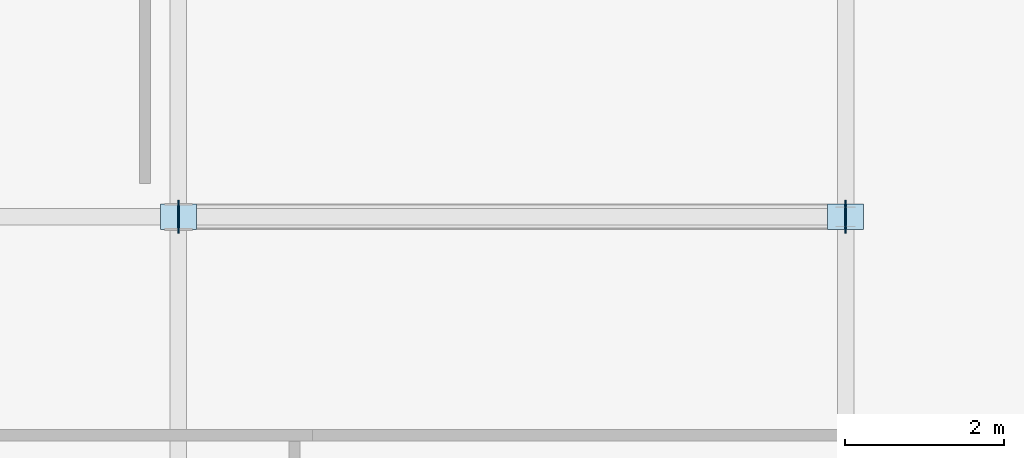
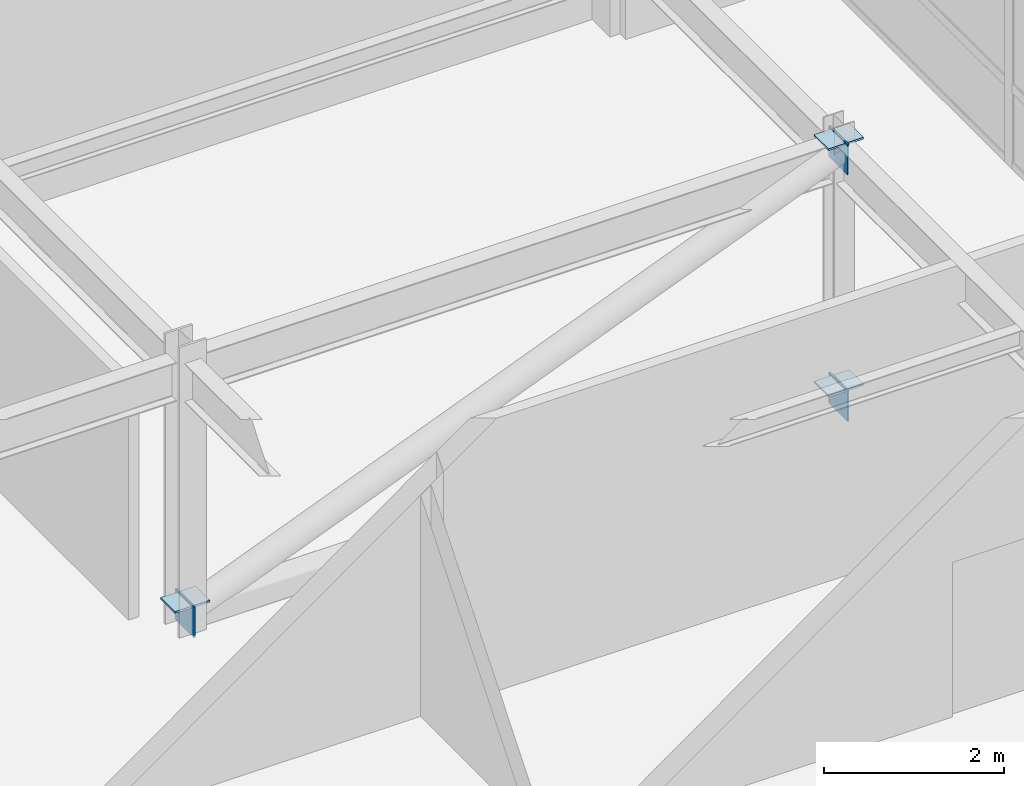
# One storey, part 13 of 19: 6 plates.
"""IFC4 building model written with IfcOpenShell, lengths in metres."""

from ifc_helpers import new_model, si_unit, direction, frame, origin, origin_2d, place, context, subcontext, project, spatial, rectangle, extrude, material, layer, layer_set, type_object, element, save


model = new_model("IFC4")

# Units and contexts
model_context = context("Model", 3, precision=1e-05, world=origin(), true_north=direction((0.0, 1.0)))
body_context = subcontext(model_context, "Body", "Model", "MODEL_VIEW")
ifc_project = project(units=[si_unit("LENGTHUNIT", "METRE"), si_unit("AREAUNIT", "SQUARE_METRE"), si_unit("VOLUMEUNIT", "CUBIC_METRE"), si_unit("PLANEANGLEUNIT", "RADIAN"), si_unit("MASSUNIT", "GRAM", prefix="KILO")], contexts=[model_context])

# Site, building, storey
site_placement = place(None, origin())
site = spatial("IfcSite", under=ifc_project, at=site_placement, CompositionType="ELEMENT")
building_placement = place(site_placement, origin())
building = spatial("IfcBuilding", under=site, at=building_placement, Name="Varnakote Quay Hospital", CompositionType="ELEMENT")
storey_placement = place(building_placement, frame((0.0, 0.0, 240.75)))
storey = spatial("IfcBuildingStorey", under=building, at=storey_placement, Name="L59", CompositionType="ELEMENT", Elevation=240.75)

# Plates
ifc_material_1 = material(Name="Structural steel AS/NZS 3678 Grade 350 (fy 340 MPa)", Category="steel")
ifc_layer_1 = layer(ifc_material_1, 0.02001953125)
ifc_layer_set_1 = layer_set([ifc_layer_1], Name="Structural steel AS/NZS 3678 Grade 350 (fy 340 MPa)")
plate_type_1 = type_object("IfcPlateType", Name="PLT-ENDCAP-420x420x20", PredefinedType="USERDEFINED", material=ifc_layer_set_1)
for number, where, z_axis, x_axis, name in (
    (1, (33.60009765625, 20.39990234375, -0.030029296875), (0.0, 0.0, 1.0), (1.0, 0.0, 0.0), "L59 Hollow Section Sealed End Cap Plate"),
    (2, (42.0, 20.39990234375, -0.030029296875), (0.0, 0.0, 1.0), (1.0, 0.0, 0.0), "L59 Hollow Section Sealed End Cap Plate"),
    (3, (42.0, 20.39990234375, 3.320068359375), (0.0, 0.0, 1.0), (1.0, 0.0, 0.0), "L59 Hollow Section Sealed End Cap Plate"),
):
    element("IfcPlate", number, at=place(storey_placement, frame(where, z_axis=z_axis, x_axis=x_axis)), inside=storey, type_object=plate_type_1, Name=name, ObjectType="END_CAP_PLATE", PredefinedType="USERDEFINED", context=body_context, shape_type="SweptSolid", body=[
        extrude(rectangle(XDim=0.02001953125, YDim=0.419921875, at=origin_2d()), origin(), (0.0, 0.0, 1.0), 0.419921875),
    ])
ifc_material_2 = material(Name="Structural steel AS/NZS 3678 Grade 350 (fy 340 MPa)", Category="steel")
ifc_layer_2 = layer(ifc_material_2, 0.02490234375)
ifc_layer_set_2 = layer_set([ifc_layer_2], Name="Structural steel AS/NZS 3678 Grade 350 (fy 340 MPa)")
plate_type_2 = type_object("IfcPlateType", Name="PLT-GUSSET-450x320x25", PredefinedType="USERDEFINED", material=ifc_layer_set_2)
for number, where, z_axis, x_axis, name in (
    (4, (33.60009765625, 20.39990234375, 0.34765625), (0.0, 0.0, 1.0), (1.0, 0.0, 0.0), "L59 Truss Concentric Node Gusset Plate"),
    (5, (42.0, 20.39990234375, 0.34765625), (0.0, 0.0, 1.0), (1.0, 0.0, 0.0), "L59 Truss Concentric Node Gusset Plate"),
    (6, (42.0, 20.39990234375, 3.697509765625), (0.0, 0.0, 1.0), (1.0, 0.0, 0.0), "L59 Truss Concentric Node Gusset Plate"),
):
    element("IfcPlate", number, at=place(storey_placement, frame(where, z_axis=z_axis, x_axis=x_axis)), inside=storey, type_object=plate_type_2, Name=name, ObjectType="GUSSET_PLATE", PredefinedType="USERDEFINED", context=body_context, shape_type="SweptSolid", body=[
        extrude(rectangle(XDim=0.449951171875, YDim=0.320068359375, at=origin_2d()), origin(), (0.0, 0.0, 1.0), 0.02490234375),
    ])

save(model, "model.ifc")
